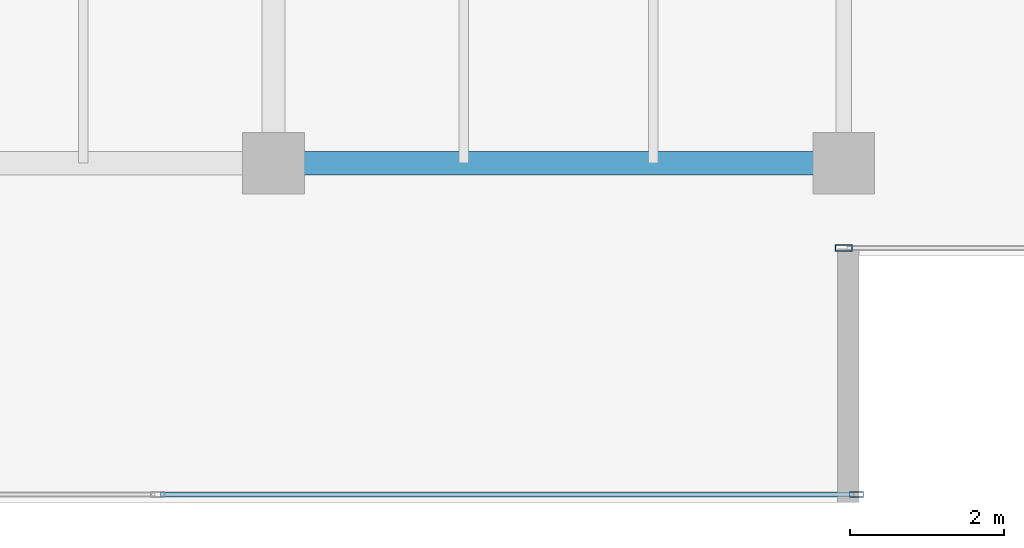
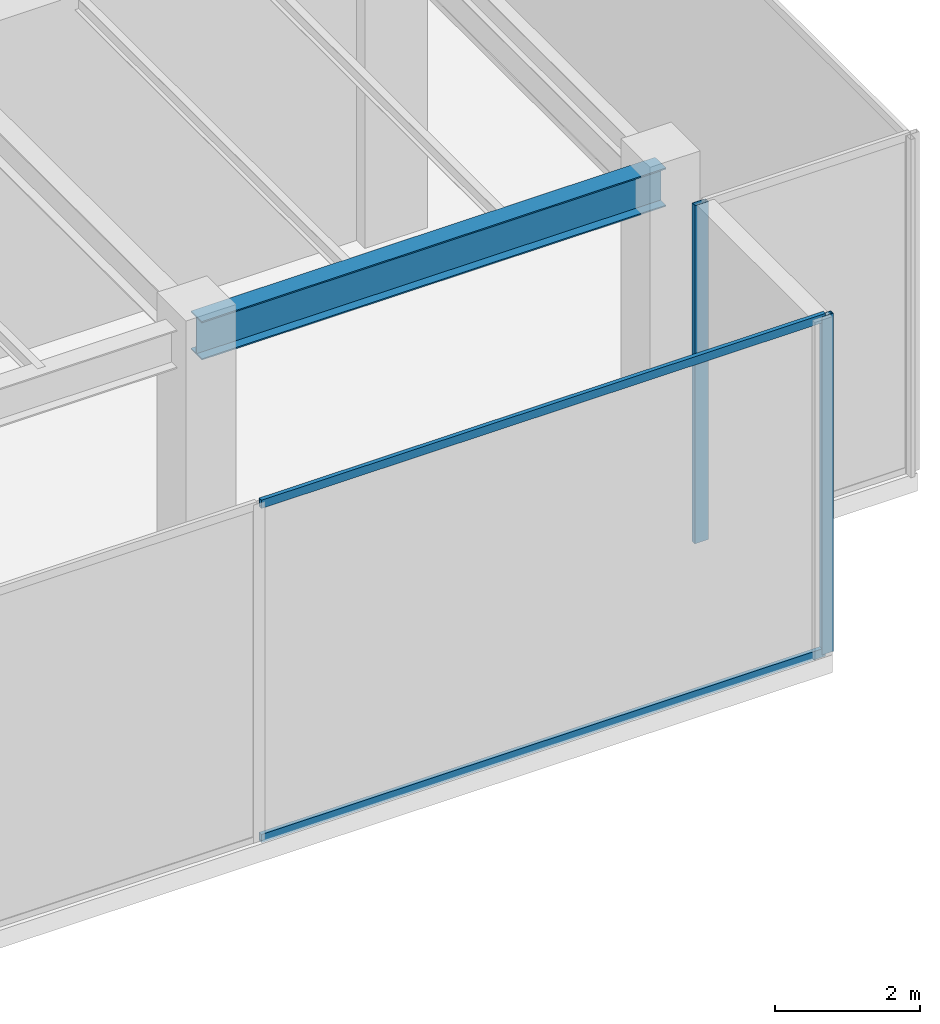
# One storey, part 11 of 30: 4 members, 1 beam, 2 elements without a shape of their own.
"""IFC4 building model written with IfcOpenShell, lengths in metres."""

import ifcopenshell
import ifcopenshell.guid

model = None  # the IFC model being written
_history = None  # IfcOwnerHistory: only IFC2X3 demands one
_inside = {}  # id of a spatial element -> (the spatial element, [elements in it])
_under = {}  # id of a project, library or spatial element -> (it, [spatial elements below it])
_declared = {}  # id of a project -> (the project, [libraries it declares])
_typed = {}  # id of a type object -> (the type object, [elements of that type])
_made_of = {}  # id of a material, layer set ... -> (it, [elements and type objects made of it])


def new_model(schema):
    """Start an empty IFC model of exactly this schema.

    Asked for "IFC4X3", IfcOpenShell would pick the latest addendum, in which some entities
    have other attributes; the version numbers below select the first issue.
    IFC2X3 requires an IfcOwnerHistory on every rooted entity: one is made here for all.
    """
    global model, _history
    if schema == "IFC4X3":
        model = ifcopenshell.file(schema_version=(4, 3, 0, 0))
    else:
        model = ifcopenshell.file(schema=schema)
    _inside.clear()
    _under.clear()
    _declared.clear()
    _typed.clear()
    _made_of.clear()
    _history = None
    if model.schema == "IFC2X3":
        org = make("IfcOrganization", Name="unknown")
        user = make(
            "IfcPersonAndOrganization",
            ThePerson=make("IfcPerson", FamilyName="unknown"),
            TheOrganization=org,
        )
        app = make(
            "IfcApplication",
            ApplicationDeveloper=org,
            Version="unknown",
            ApplicationFullName="unknown",
            ApplicationIdentifier="unknown",
        )
        _history = make(
            "IfcOwnerHistory",
            OwningUser=user,
            OwningApplication=app,
            ChangeAction="ADDED",
            CreationDate=0,
        )
    return model


def make(cls, **values):
    """One entity of the class cls with the attributes given. An attribute that is None is left unset."""
    return model.create_entity(
        cls, **{name: value for name, value in values.items() if value is not None}
    )


def rooted(cls, **values):
    """An entity with a GlobalId (a new one), such as an element, a storey or a relation."""
    return make(cls, GlobalId=ifcopenshell.guid.new(), OwnerHistory=_history, **values)


def si_unit(unit_type, name, prefix=None):
    """IfcSIUnit, for example si_unit("LENGTHUNIT", "METRE", prefix="MILLI")."""
    return make("IfcSIUnit", UnitType=unit_type, Prefix=prefix, Name=name)


def assignment(units):
    """IfcUnitAssignment: the units of a project."""
    return None if units is None else make("IfcUnitAssignment", Units=units)


def point(xyz):
    """IfcCartesianPoint."""
    return None if xyz is None else make("IfcCartesianPoint", Coordinates=xyz)


def direction(xyz):
    """IfcDirection."""
    return None if xyz is None else make("IfcDirection", DirectionRatios=xyz)


def frame(location, z_axis=None, x_axis=None):
    """IfcAxis2Placement3D, a coordinate frame: its origin and axes. An axis left out is left unset."""
    return make(
        "IfcAxis2Placement3D",
        Location=point(location),
        Axis=direction(z_axis),
        RefDirection=direction(x_axis),
    )


def frame_2d(location, x_axis=None):
    """IfcAxis2Placement2D, a coordinate frame in the plane: its origin and x axis."""
    return make(
        "IfcAxis2Placement2D", Location=point(location), RefDirection=direction(x_axis)
    )


def origin():
    """The frame at (0, 0, 0) with its axes left unset."""
    return frame((0.0, 0.0, 0.0))


def origin_2d():
    """The frame at (0, 0) in the plane with its x axis left unset."""
    return frame_2d((0.0, 0.0))


def place(relative_to, where):
    """IfcLocalPlacement: puts the frame where relative to a parent placement (None: the world)."""
    return make(
        "IfcLocalPlacement", PlacementRelTo=relative_to, RelativePlacement=where
    )


def context(
    kind, dimensions, precision=None, world=None, true_north=None, identifier=None
):
    """IfcGeometricRepresentationContext, for example the 3D "Model" context."""
    return make(
        "IfcGeometricRepresentationContext",
        ContextIdentifier=identifier,
        ContextType=kind,
        CoordinateSpaceDimension=dimensions,
        Precision=precision,
        WorldCoordinateSystem=world,
        TrueNorth=true_north,
    )


def subcontext(parent, identifier, kind, view, scale=None):
    """IfcGeometricRepresentationSubContext, for example "Body" below "Model"."""
    return make(
        "IfcGeometricRepresentationSubContext",
        ContextIdentifier=identifier,
        ContextType=kind,
        ParentContext=parent,
        TargetScale=scale,
        TargetView=view,
    )


def project(units=None, contexts=None):
    """IfcProject with its units and contexts."""
    return rooted(
        "IfcProject",
        Name="project",
        RepresentationContexts=contexts,
        UnitsInContext=assignment(units),
    )


def spatial(cls, under=None, at=None, **own):
    """A site, building, storey or space (cls), placed at a placement, below another one or the project."""
    s = rooted(cls, ObjectPlacement=at, **own)
    if under is not None:
        _under.setdefault(under.id(), (under, []))[1].append(s)
    return s


def profile(cls, at=None, kind="AREA", **sizes):
    """A parametric profile (cls). Its sizes go by their IFC names, for example OverallWidth=200.0."""
    return make(cls, ProfileType=kind, Position=at, **sizes)


def hollow_rectangle(**sizes):
    """IfcRectangleHollowProfileDef."""
    return profile("IfcRectangleHollowProfileDef", **sizes)


def i_section(**sizes):
    """IfcIShapeProfileDef."""
    return profile("IfcIShapeProfileDef", **sizes)


def extrude(swept, where, along, depth):
    """IfcExtrudedAreaSolid: the profile swept, set in the frame where, extruded along a direction by depth."""
    return make(
        "IfcExtrudedAreaSolid",
        SweptArea=swept,
        Position=where,
        ExtrudedDirection=direction(along),
        Depth=depth,
    )


def shape(context_of_items, identifier, shape_type, items):
    """IfcShapeRepresentation: the items that make up one representation, for example the "Body"."""
    return make(
        "IfcShapeRepresentation",
        ContextOfItems=context_of_items,
        RepresentationIdentifier=identifier,
        RepresentationType=shape_type,
        Items=items,
    )


def source(mapping_origin, context_of_items, identifier, shape_type, items):
    """IfcRepresentationMap: a shape defined once, which mapped items show again and again."""
    return make(
        "IfcRepresentationMap",
        MappingOrigin=mapping_origin,
        MappedRepresentation=shape(context_of_items, identifier, shape_type, items),
    )


def transform(
    local_origin,
    x_axis=None,
    y_axis=None,
    z_axis=None,
    scale=None,
    scale2=None,
    scale3=None,
    uniform=True,
):
    """IfcCartesianTransformationOperator3D, or its non-uniform kind. x_axis, y_axis, z_axis: its Axis1, 2, 3."""
    if uniform:
        return make(
            "IfcCartesianTransformationOperator3D",
            Axis1=direction(x_axis),
            Axis2=direction(y_axis),
            LocalOrigin=point(local_origin),
            Scale=scale,
            Axis3=direction(z_axis),
        )
    return make(
        "IfcCartesianTransformationOperator3DnonUniform",
        Axis1=direction(x_axis),
        Axis2=direction(y_axis),
        LocalOrigin=point(local_origin),
        Scale=scale,
        Axis3=direction(z_axis),
        Scale2=scale2,
        Scale3=scale3,
    )


def mapped(mapping_source, mapping_target):
    """IfcMappedItem: shows the shape of a source again, moved by a transform."""
    return make(
        "IfcMappedItem", MappingSource=mapping_source, MappingTarget=mapping_target
    )


def material(Name=None, Category=None):
    """IfcMaterial."""
    return make("IfcMaterial", Name=Name, Category=Category)


def layer(
    of_material, thickness, ventilated=None, Name=None, Category=None, Priority=None
):
    """IfcMaterialLayer: one layer of a wall or slab, of a material (None: an air gap)."""
    return make(
        "IfcMaterialLayer",
        Material=of_material,
        LayerThickness=thickness,
        IsVentilated=ventilated,
        Name=Name,
        Category=Category,
        Priority=Priority,
    )


def layer_set(layers, Name=None):
    """IfcMaterialLayerSet."""
    return make("IfcMaterialLayerSet", MaterialLayers=layers, LayerSetName=Name)


def material_profile(
    of_material, cross_section, Name=None, Category=None, Priority=None
):
    """IfcMaterialProfile: a cross section and its material."""
    return make(
        "IfcMaterialProfile",
        Name=Name,
        Material=of_material,
        Profile=cross_section,
        Priority=Priority,
        Category=Category,
    )


def profile_set(profiles, Name=None, composite=None):
    """IfcMaterialProfileSet."""
    return make(
        "IfcMaterialProfileSet",
        Name=Name,
        MaterialProfiles=profiles,
        CompositeProfile=composite,
    )


def made_of(thing, what):
    """Note that an element or type object is made of a material, layer set ...; save() writes the relation."""
    if what is not None:
        _made_of.setdefault(what.id(), (what, []))[1].append(thing)
    return thing


def type_object(cls, material=None, **own):
    """A type object (cls), such as IfcWallType, which elements share."""
    return made_of(rooted(cls, **own), material)


def type_shapes(of_type, sources):
    """Give a type object the sources (RepresentationMaps) that its elements show as mapped items."""
    of_type.RepresentationMaps = sources


def element(
    cls,
    number,
    at=None,
    inside=None,
    cuts=None,
    type_object=None,
    material=None,
    context=None,
    identifier="Body",
    shape_type=None,
    held_by="IfcProductDefinitionShape",
    body=None,
    shapes=None,
    **own,
):
    """One element of the class cls, such as IfcWall. Its Tag is "e" and its number.

    at: its placement. inside: the storey or other place that contains it. cuts: it is an
    opening in that element (IfcRelVoidsElement). A single representation is given by context,
    identifier, shape_type and body (its items); several are given by shapes. held_by: the class
    of the entity that holds the representations. save() writes the other relations.
    """
    e = rooted(cls, Tag="e%d" % number, ObjectPlacement=at, **own)
    if body is not None:
        shapes = [shape(context, identifier, shape_type, body)]
    if shapes is not None:
        e.Representation = make(held_by, Representations=shapes)
    if inside is not None:
        _inside.setdefault(inside.id(), (inside, []))[1].append(e)
    if cuts is not None:
        rooted(
            "IfcRelVoidsElement", RelatingBuildingElement=cuts, RelatedOpeningElement=e
        )
    if type_object is not None:
        _typed.setdefault(type_object.id(), (type_object, []))[1].append(e)
    return made_of(e, material)


def aggregate(whole, parts):
    """IfcRelAggregates: a whole, such as a stair, and the parts it consists of."""
    return rooted("IfcRelAggregates", RelatingObject=whole, RelatedObjects=parts)


def save(model, path):
    """Write the relations noted so far, then the file.

    IfcRelAggregates (storeys below a building ...), IfcRelContainedInSpatialStructure (elements
    in a storey), IfcRelDefinesByType, IfcRelAssociatesMaterial and IfcRelDeclares: one each for
    every whole, place, type object, material and project.
    """
    for whole, parts in _under.values():
        aggregate(whole, parts)
    for where, things in _inside.values():
        rooted(
            "IfcRelContainedInSpatialStructure",
            RelatedElements=things,
            RelatingStructure=where,
        )
    for kind, things in _typed.values():
        rooted("IfcRelDefinesByType", RelatedObjects=things, RelatingType=kind)
    for what, things in _made_of.values():
        rooted("IfcRelAssociatesMaterial", RelatedObjects=things, RelatingMaterial=what)
    for by, libraries in _declared.values():
        rooted("IfcRelDeclares", RelatingContext=by, RelatedDefinitions=libraries)
    model.write(path)


model = new_model("IFC4")

# Units and contexts
model_context = context("Model", 3, precision=1e-05, world=origin(), true_north=direction((0.0, 1.0)))
body_context = subcontext(model_context, "Body", "Model", "MODEL_VIEW")
ifc_project = project(units=[si_unit("LENGTHUNIT", "METRE"), si_unit("AREAUNIT", "SQUARE_METRE"), si_unit("VOLUMEUNIT", "CUBIC_METRE"), si_unit("PLANEANGLEUNIT", "RADIAN"), si_unit("MASSUNIT", "GRAM", prefix="KILO")], contexts=[model_context])

# Site, building, storey
site_placement = place(None, origin())
site = spatial("IfcSite", under=ifc_project, at=site_placement, CompositionType="ELEMENT")
building_placement = place(site_placement, origin())
building = spatial("IfcBuilding", under=site, at=building_placement, Name="Haelvirn Gate Laboratories", CompositionType="ELEMENT")
storey_placement = place(building_placement, frame((0.0, 0.0, 291.60009765625)))
storey = spatial("IfcBuildingStorey", under=building, at=storey_placement, Name="L70", CompositionType="ELEMENT", Elevation=291.60009765625)

# Beam
ifc_material_1 = material(Name="Steel SM355", Category="steel")
ifc_material_profile_1 = material_profile(ifc_material_1, i_section(OverallWidth=0.300048828125, OverallDepth=0.64990234375, WebThickness=0.012939453125, FlangeThickness=0.02197265625, at=origin_2d()), Name="H-650x300x13x22")
ifc_profile_set_1 = profile_set([ifc_material_profile_1], Name="Steel SM355")
beam_type = type_object("IfcBeamType", Name="BM-G-650", PredefinedType="BEAM", material=ifc_profile_set_1)
shared_shape_1 = source(origin(), body_context, "Body", "SweptSolid", [
    extrude(i_section(OverallWidth=0.300048828125, OverallDepth=0.64990234375, WebThickness=0.012939453125, FlangeThickness=0.02197265625, at=origin_2d()), origin(), (0.0, 0.0, 1.0), 7.39990234375),
])
type_shapes(beam_type, [shared_shape_1])
beam_placement = place(storey_placement, frame((60.0, 7.0, 5.375), z_axis=(1.0, 0.0, 0.0), x_axis=(0.0, 1.0, 0.0)))
element("IfcBeam", 1, at=beam_placement, inside=storey, type_object=beam_type, Name="L70 Primary Girder Y7.0 (60.0-67.4)", PredefinedType="BEAM", context=body_context, shape_type="MappedRepresentation", body=[
    mapped(shared_shape_1, transform((0.0, 0.0, 0.0), scale=1.0)),
])

# Curtain wall, members
ifc_material_2 = material(Name="Anodised bronze unitised aluminium & triple low-E glass", Category="aluminium")
ifc_layer_1 = layer(ifc_material_2, 0.176025390625, Name="CW-SYS-4")
ifc_layer_set_1 = layer_set([ifc_layer_1], Name="Anodised bronze unitised aluminium & triple low-E glass")
curtain_wall_type_1 = type_object("IfcCurtainWallType", Name="CW-SYS-4", PredefinedType="NOTDEFINED", material=ifc_layer_set_1)
curtain_wall_1_placement = place(storey_placement, origin())
curtain_wall_1 = element("IfcCurtainWall", 2, at=curtain_wall_1_placement, inside=storey, type_object=curtain_wall_type_1, Name="L70 Unitised Curtain Wall CW-L70-P1-E00-1", PredefinedType="NOTDEFINED")
ifc_material_3 = material(Name="Extruded aluminium 6063-T6 (anodised bronze)", Category="aluminium")
ifc_material_profile_2 = material_profile(ifc_material_3, hollow_rectangle(XDim=0.06494140625, YDim=0.139892578125, WallThickness=0.00390625, at=origin_2d()), Name="CWT-140x65x4")
ifc_profile_set_2 = profile_set([ifc_material_profile_2], Name="Extruded aluminium 6063-T6 (anodised bronze)")
member_type_1 = type_object("IfcMemberType", Name="CWT-T140", PredefinedType="USERDEFINED", material=ifc_profile_set_2)
shared_shape_2 = source(origin(), body_context, "Body", "SweptSolid", [
    extrude(hollow_rectangle(XDim=0.06494140625, YDim=0.139892578125, WallThickness=0.00390625, at=origin_2d()), origin(), (0.0, 0.0, 1.0), 8.9951171875),
])
type_shapes(member_type_1, [shared_shape_2])
member_1_placement = place(storey_placement, frame((58.534912109375, 2.699951171875, 0.032470703125), z_axis=(1.0, 0.0, 0.0), x_axis=(0.0, 1.0, 0.0)))
member_1 = element("IfcMember", 3, at=member_1_placement, type_object=member_type_1, Name="CW4 transom 2.1", ObjectType="TRANSOM", PredefinedType="USERDEFINED", context=body_context, shape_type="MappedRepresentation", body=[
    mapped(shared_shape_2, transform((0.0, 0.0, 0.0), scale=1.0)),
])
member_2_placement = place(storey_placement, frame((58.534912109375, 2.699951171875, 5.66748046875), z_axis=(1.0, 0.0, 0.0), x_axis=(0.0, 1.0, 0.0)))
member_2 = element("IfcMember", 4, at=member_2_placement, type_object=member_type_1, Name="CW4 transom 2.2", ObjectType="TRANSOM", PredefinedType="USERDEFINED", context=body_context, shape_type="MappedRepresentation", body=[
    mapped(shared_shape_2, transform((0.0, 0.0, 0.0), scale=1.0)),
])
ifc_material_profile_3 = material_profile(ifc_material_3, hollow_rectangle(XDim=0.070068359375, YDim=0.179931640625, WallThickness=0.0048828125, at=origin_2d()), Name="CWM-180x70x5")
ifc_profile_set_3 = profile_set([ifc_material_profile_3], Name="Extruded aluminium 6063-T6 (anodised bronze)")
member_type_2 = type_object("IfcMemberType", Name="CWM-T180", PredefinedType="MULLION", material=ifc_profile_set_3)
shared_shape_3 = source(origin(), body_context, "Body", "SweptSolid", [
    extrude(hollow_rectangle(XDim=0.070068359375, YDim=0.179931640625, WallThickness=0.0048828125, at=origin_2d()), origin(), (0.0, 0.0, 1.0), 5.699951171875),
])
type_shapes(member_type_2, [shared_shape_3])
member_3_placement = place(storey_placement, frame((67.56494140625, 2.699951171875, 0.0), z_axis=(0.0, 0.0, 1.0), x_axis=(0.0, 1.0, 0.0)))
member_3 = element("IfcMember", 5, at=member_3_placement, type_object=member_type_2, Name="CW4 mullion 3", PredefinedType="MULLION", context=body_context, shape_type="MappedRepresentation", body=[
    mapped(shared_shape_3, transform((0.0, 0.0, 0.0), scale=1.0)),
])
aggregate(curtain_wall_1, [member_3, member_1, member_2])

# Curtain wall, member
ifc_layer_2 = layer(ifc_material_2, 0.181884765625, Name="CW-SYS-5")
ifc_layer_set_2 = layer_set([ifc_layer_2], Name="Anodised bronze unitised aluminium & triple low-E glass")
curtain_wall_type_2 = type_object("IfcCurtainWallType", Name="CW-SYS-5", PredefinedType="NOTDEFINED", material=ifc_layer_set_2)
curtain_wall_2_placement = place(storey_placement, origin())
curtain_wall_2 = element("IfcCurtainWall", 6, at=curtain_wall_2_placement, inside=storey, type_object=curtain_wall_type_2, Name="L70 Unitised Curtain Wall CW-L70-P1-E02-1", PredefinedType="NOTDEFINED")
ifc_material_profile_4 = material_profile(ifc_material_3, hollow_rectangle(XDim=0.080078125, YDim=0.219970703125, WallThickness=0.006103515625, at=origin_2d()), Name="CWM-220x80x6")
ifc_profile_set_4 = profile_set([ifc_material_profile_4], Name="Extruded aluminium 6063-T6 (anodised bronze)")
member_type_3 = type_object("IfcMemberType", Name="CWM-T220", PredefinedType="MULLION", material=ifc_profile_set_4)
shared_shape_4 = source(origin(), body_context, "Body", "SweptSolid", [
    extrude(hollow_rectangle(XDim=0.080078125, YDim=0.219970703125, WallThickness=0.006103515625, at=origin_2d()), origin(), (0.0, 0.0, 1.0), 5.699951171875),
])
type_shapes(member_type_3, [shared_shape_4])
member_4_placement = place(storey_placement, frame((67.39990234375, 5.89990234375, 0.0), z_axis=(0.0, 0.0, 1.0), x_axis=(0.0, 1.0, 0.0)))
member_4 = element("IfcMember", 7, at=member_4_placement, type_object=member_type_3, Name="CW5 mullion 1", PredefinedType="MULLION", context=body_context, shape_type="MappedRepresentation", body=[
    mapped(shared_shape_4, transform((0.0, 0.0, 0.0), scale=1.0)),
])
aggregate(curtain_wall_2, [member_4])

save(model, "model.ifc")
